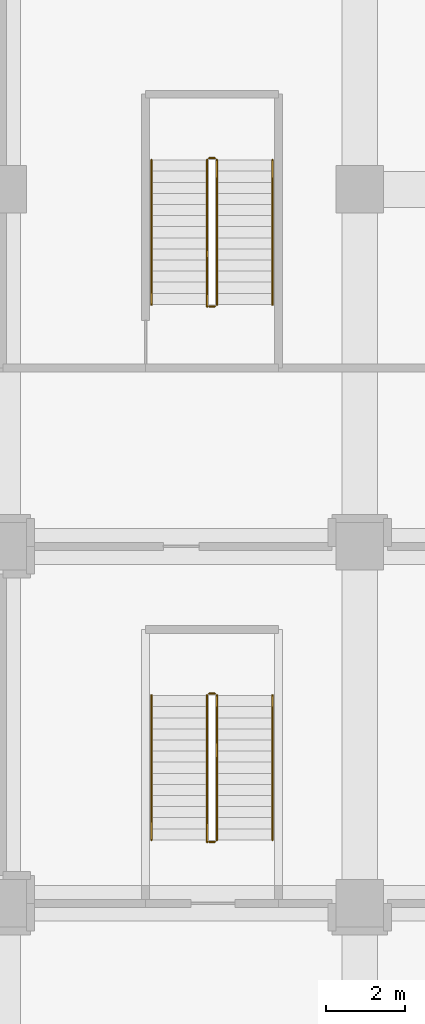
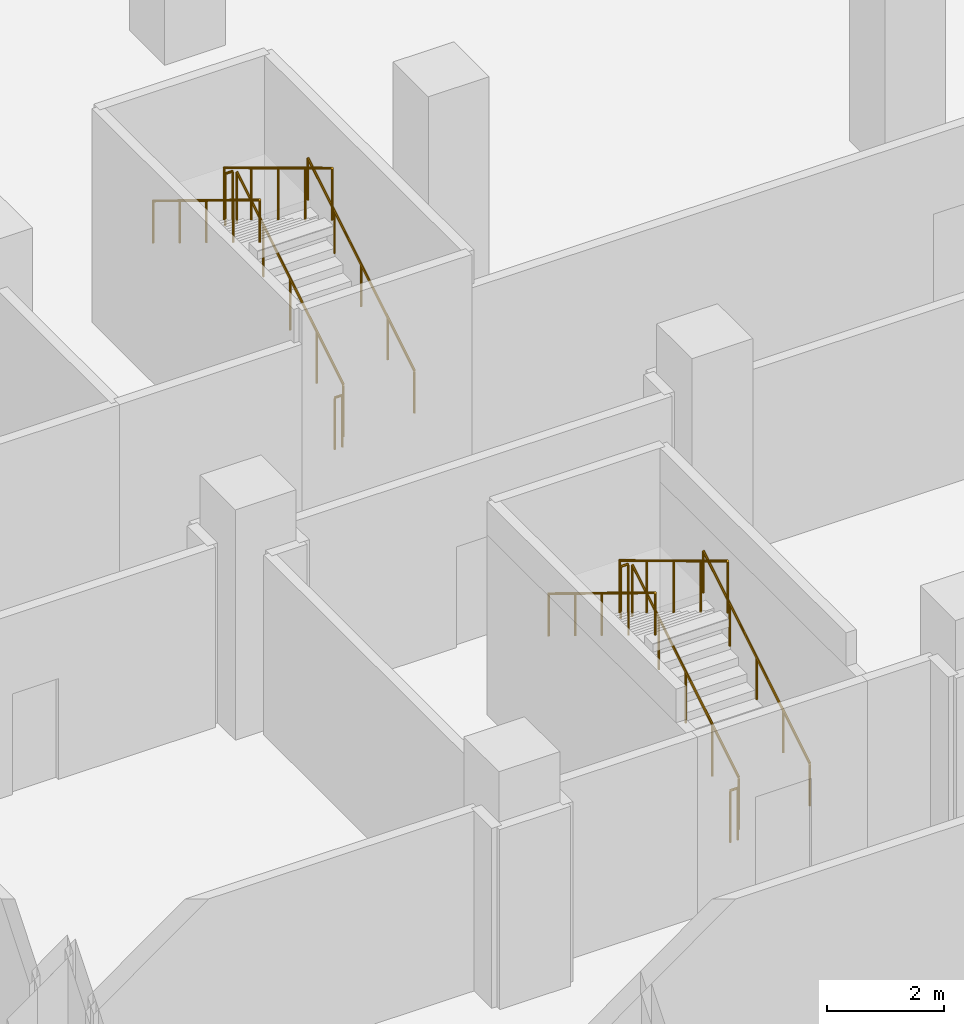
# One storey, part 40 of 42: 12 railings.
"""IFC4 building model written with IfcOpenShell, lengths in metres."""

import ifcopenshell
import ifcopenshell.guid

model = None  # the IFC model being written
_history = None  # IfcOwnerHistory: only IFC2X3 demands one
_inside = {}  # id of a spatial element -> (the spatial element, [elements in it])
_under = {}  # id of a project, library or spatial element -> (it, [spatial elements below it])
_declared = {}  # id of a project -> (the project, [libraries it declares])
_typed = {}  # id of a type object -> (the type object, [elements of that type])
_made_of = {}  # id of a material, layer set ... -> (it, [elements and type objects made of it])


def new_model(schema):
    """Start an empty IFC model of exactly this schema.

    Asked for "IFC4X3", IfcOpenShell would pick the latest addendum, in which some entities
    have other attributes; the version numbers below select the first issue.
    IFC2X3 requires an IfcOwnerHistory on every rooted entity: one is made here for all.
    """
    global model, _history
    if schema == "IFC4X3":
        model = ifcopenshell.file(schema_version=(4, 3, 0, 0))
    else:
        model = ifcopenshell.file(schema=schema)
    _inside.clear()
    _under.clear()
    _declared.clear()
    _typed.clear()
    _made_of.clear()
    _history = None
    if model.schema == "IFC2X3":
        org = make("IfcOrganization", Name="unknown")
        user = make(
            "IfcPersonAndOrganization",
            ThePerson=make("IfcPerson", FamilyName="unknown"),
            TheOrganization=org,
        )
        app = make(
            "IfcApplication",
            ApplicationDeveloper=org,
            Version="unknown",
            ApplicationFullName="unknown",
            ApplicationIdentifier="unknown",
        )
        _history = make(
            "IfcOwnerHistory",
            OwningUser=user,
            OwningApplication=app,
            ChangeAction="ADDED",
            CreationDate=0,
        )
    return model


def make(cls, **values):
    """One entity of the class cls with the attributes given. An attribute that is None is left unset."""
    return model.create_entity(
        cls, **{name: value for name, value in values.items() if value is not None}
    )


def rooted(cls, **values):
    """An entity with a GlobalId (a new one), such as an element, a storey or a relation."""
    return make(cls, GlobalId=ifcopenshell.guid.new(), OwnerHistory=_history, **values)


def si_unit(unit_type, name, prefix=None):
    """IfcSIUnit, for example si_unit("LENGTHUNIT", "METRE", prefix="MILLI")."""
    return make("IfcSIUnit", UnitType=unit_type, Prefix=prefix, Name=name)


def assignment(units):
    """IfcUnitAssignment: the units of a project."""
    return None if units is None else make("IfcUnitAssignment", Units=units)


def point(xyz):
    """IfcCartesianPoint."""
    return None if xyz is None else make("IfcCartesianPoint", Coordinates=xyz)


def direction(xyz):
    """IfcDirection."""
    return None if xyz is None else make("IfcDirection", DirectionRatios=xyz)


def frame(location, z_axis=None, x_axis=None):
    """IfcAxis2Placement3D, a coordinate frame: its origin and axes. An axis left out is left unset."""
    return make(
        "IfcAxis2Placement3D",
        Location=point(location),
        Axis=direction(z_axis),
        RefDirection=direction(x_axis),
    )


def frame_2d(location, x_axis=None):
    """IfcAxis2Placement2D, a coordinate frame in the plane: its origin and x axis."""
    return make(
        "IfcAxis2Placement2D", Location=point(location), RefDirection=direction(x_axis)
    )


def origin():
    """The frame at (0, 0, 0) with its axes left unset."""
    return frame((0.0, 0.0, 0.0))


def origin_2d():
    """The frame at (0, 0) in the plane with its x axis left unset."""
    return frame_2d((0.0, 0.0))


def place(relative_to, where):
    """IfcLocalPlacement: puts the frame where relative to a parent placement (None: the world)."""
    return make(
        "IfcLocalPlacement", PlacementRelTo=relative_to, RelativePlacement=where
    )


def context(
    kind, dimensions, precision=None, world=None, true_north=None, identifier=None
):
    """IfcGeometricRepresentationContext, for example the 3D "Model" context."""
    return make(
        "IfcGeometricRepresentationContext",
        ContextIdentifier=identifier,
        ContextType=kind,
        CoordinateSpaceDimension=dimensions,
        Precision=precision,
        WorldCoordinateSystem=world,
        TrueNorth=true_north,
    )


def subcontext(parent, identifier, kind, view, scale=None):
    """IfcGeometricRepresentationSubContext, for example "Body" below "Model"."""
    return make(
        "IfcGeometricRepresentationSubContext",
        ContextIdentifier=identifier,
        ContextType=kind,
        ParentContext=parent,
        TargetScale=scale,
        TargetView=view,
    )


def project(units=None, contexts=None):
    """IfcProject with its units and contexts."""
    return rooted(
        "IfcProject",
        Name="project",
        RepresentationContexts=contexts,
        UnitsInContext=assignment(units),
    )


def spatial(cls, under=None, at=None, **own):
    """A site, building, storey or space (cls), placed at a placement, below another one or the project."""
    s = rooted(cls, ObjectPlacement=at, **own)
    if under is not None:
        _under.setdefault(under.id(), (under, []))[1].append(s)
    return s


def profile(cls, at=None, kind="AREA", **sizes):
    """A parametric profile (cls). Its sizes go by their IFC names, for example OverallWidth=200.0."""
    return make(cls, ProfileType=kind, Position=at, **sizes)


def circle(**sizes):
    """IfcCircleProfileDef."""
    return profile("IfcCircleProfileDef", **sizes)


def extrude(swept, where, along, depth):
    """IfcExtrudedAreaSolid: the profile swept, set in the frame where, extruded along a direction by depth."""
    return make(
        "IfcExtrudedAreaSolid",
        SweptArea=swept,
        Position=where,
        ExtrudedDirection=direction(along),
        Depth=depth,
    )


def shape(context_of_items, identifier, shape_type, items):
    """IfcShapeRepresentation: the items that make up one representation, for example the "Body"."""
    return make(
        "IfcShapeRepresentation",
        ContextOfItems=context_of_items,
        RepresentationIdentifier=identifier,
        RepresentationType=shape_type,
        Items=items,
    )


def material(Name=None, Category=None):
    """IfcMaterial."""
    return make("IfcMaterial", Name=Name, Category=Category)


def made_of(thing, what):
    """Note that an element or type object is made of a material, layer set ...; save() writes the relation."""
    if what is not None:
        _made_of.setdefault(what.id(), (what, []))[1].append(thing)
    return thing


def type_object(cls, material=None, **own):
    """A type object (cls), such as IfcWallType, which elements share."""
    return made_of(rooted(cls, **own), material)


def element(
    cls,
    number,
    at=None,
    inside=None,
    cuts=None,
    type_object=None,
    material=None,
    context=None,
    identifier="Body",
    shape_type=None,
    held_by="IfcProductDefinitionShape",
    body=None,
    shapes=None,
    **own,
):
    """One element of the class cls, such as IfcWall. Its Tag is "e" and its number.

    at: its placement. inside: the storey or other place that contains it. cuts: it is an
    opening in that element (IfcRelVoidsElement). A single representation is given by context,
    identifier, shape_type and body (its items); several are given by shapes. held_by: the class
    of the entity that holds the representations. save() writes the other relations.
    """
    e = rooted(cls, Tag="e%d" % number, ObjectPlacement=at, **own)
    if body is not None:
        shapes = [shape(context, identifier, shape_type, body)]
    if shapes is not None:
        e.Representation = make(held_by, Representations=shapes)
    if inside is not None:
        _inside.setdefault(inside.id(), (inside, []))[1].append(e)
    if cuts is not None:
        rooted(
            "IfcRelVoidsElement", RelatingBuildingElement=cuts, RelatedOpeningElement=e
        )
    if type_object is not None:
        _typed.setdefault(type_object.id(), (type_object, []))[1].append(e)
    return made_of(e, material)


def aggregate(whole, parts):
    """IfcRelAggregates: a whole, such as a stair, and the parts it consists of."""
    return rooted("IfcRelAggregates", RelatingObject=whole, RelatedObjects=parts)


def save(model, path):
    """Write the relations noted so far, then the file.

    IfcRelAggregates (storeys below a building ...), IfcRelContainedInSpatialStructure (elements
    in a storey), IfcRelDefinesByType, IfcRelAssociatesMaterial and IfcRelDeclares: one each for
    every whole, place, type object, material and project.
    """
    for whole, parts in _under.values():
        aggregate(whole, parts)
    for where, things in _inside.values():
        rooted(
            "IfcRelContainedInSpatialStructure",
            RelatedElements=things,
            RelatingStructure=where,
        )
    for kind, things in _typed.values():
        rooted("IfcRelDefinesByType", RelatedObjects=things, RelatingType=kind)
    for what, things in _made_of.values():
        rooted("IfcRelAssociatesMaterial", RelatedObjects=things, RelatingMaterial=what)
    for by, libraries in _declared.values():
        rooted("IfcRelDeclares", RelatingContext=by, RelatedDefinitions=libraries)
    model.write(path)


model = new_model("IFC4")

# Units and contexts
model_context = context("Model", 3, precision=1e-05, world=origin(), true_north=direction((0.0, 1.0)))
body_context = subcontext(model_context, "Body", "Model", "MODEL_VIEW")
ifc_project = project(units=[si_unit("LENGTHUNIT", "METRE"), si_unit("AREAUNIT", "SQUARE_METRE"), si_unit("VOLUMEUNIT", "CUBIC_METRE"), si_unit("PLANEANGLEUNIT", "RADIAN"), si_unit("MASSUNIT", "GRAM", prefix="KILO")], contexts=[model_context])

# Site, building, storey
site_placement = place(None, origin())
site = spatial("IfcSite", under=ifc_project, at=site_placement, CompositionType="ELEMENT")
building_placement = place(site_placement, origin())
building = spatial("IfcBuilding", under=site, at=building_placement, Name="Plateau Cross Towers", CompositionType="ELEMENT")
storey_placement = place(building_placement, frame((0.0, 0.0, 8.0)))
storey = spatial("IfcBuildingStorey", under=building, at=storey_placement, Name="L01", CompositionType="ELEMENT", Elevation=8.0)

# Railings
ifc_material_1 = material(Name="Stainless steel and toughened glass", Category="steel")
railing_type_1 = type_object("IfcRailingType", Name="RL-GUARD-1100", PredefinedType="GUARDRAIL", material=ifc_material_1)
railing_1_placement = place(storey_placement, frame((32.39990234375, 28.60009765625, 0.17138671875)))
element("IfcRailing", 1, at=railing_1_placement, inside=storey, type_object=railing_type_1, Name="L01 PS1 stair guard 1", PredefinedType="GUARDRAIL", context=body_context, shape_type="SweptSolid", body=[
    extrude(circle(Radius=0.02392578125, at=origin_2d()), frame((0.0, 0.0, 1.076171875), z_axis=(0.0, 0.852850264322, 0.5221555579), x_axis=(-1.0, 0.0, 0.0)), (0.0, 0.0, 1.0), 4.267822265625),
    extrude(circle(Radius=0.02099609375, at=origin_2d()), origin(), (0.0, 0.0, 1.0), 1.052001953125),
    extrude(circle(Radius=0.02099609375, at=origin_2d()), frame((0.0, 0.909912109375, 0.55712890625)), (0.0, 0.0, 1.0), 1.052001953125),
    extrude(circle(Radius=0.02099609375, at=origin_2d()), frame((0.0, 1.81982421875, 1.1142578125)), (0.0, 0.0, 1.0), 1.052001953125),
    extrude(circle(Radius=0.02099609375, at=origin_2d()), frame((0.0, 2.72998046875, 1.67138671875)), (0.0, 0.0, 1.0), 1.052001953125),
    extrude(circle(Radius=0.02099609375, at=origin_2d()), frame((0.0, 3.639892578125, 2.228515625)), (0.0, 0.0, 1.0), 1.052001953125),
])
railing_2_placement = place(storey_placement, frame((32.35009765625, 32.2900390625, 2.39990234375)))
element("IfcRailing", 2, at=railing_2_placement, inside=storey, type_object=railing_type_1, Name="L01 PS1 stair guard 2", PredefinedType="GUARDRAIL", context=body_context, shape_type="SweptSolid", body=[
    extrude(circle(Radius=0.02392578125, at=origin_2d()), frame((0.0, 0.0, 1.076171875), z_axis=(-1.0, 0.0, 0.0), x_axis=(0.0, -1.0, 0.0)), (0.0, 0.0, 1.0), 0.150146484375),
    extrude(circle(Radius=0.02099609375, at=origin_2d()), origin(), (0.0, 0.0, 1.0), 1.052001953125),
    extrude(circle(Radius=0.02099609375, at=origin_2d()), frame((-0.150146484375, 0.0, 0.0)), (0.0, 0.0, 1.0), 1.052001953125),
])
railing_3_placement = place(storey_placement, frame((32.14990234375, 32.239990234375, 2.571533203125)))
element("IfcRailing", 3, at=railing_3_placement, inside=storey, type_object=railing_type_1, Name="L01 PS1 stair guard 3", PredefinedType="GUARDRAIL", context=body_context, shape_type="SweptSolid", body=[
    extrude(circle(Radius=0.02392578125, at=origin_2d()), frame((0.0, 0.0, 1.076171875), z_axis=(0.0, -0.856000133688, 0.516975600126), x_axis=(1.0, 0.0, 0.0)), (0.0, 0.0, 1.0), 4.310791015625),
    extrude(circle(Radius=0.02099609375, at=origin_2d()), origin(), (0.0, 0.0, 1.0), 1.052001953125),
    extrude(circle(Radius=0.02099609375, at=origin_2d()), frame((0.0, -0.92236328125, 0.55712890625)), (0.0, 0.0, 1.0), 1.052001953125),
    extrude(circle(Radius=0.02099609375, at=origin_2d()), frame((0.0, -1.844970703125, 1.1142578125)), (0.0, 0.0, 1.0), 1.052001953125),
    extrude(circle(Radius=0.02099609375, at=origin_2d()), frame((0.0, -2.767578125, 1.67138671875)), (0.0, 0.0, 1.0), 1.052001953125),
    extrude(circle(Radius=0.02099609375, at=origin_2d()), frame((0.0, -3.68994140625, 2.228515625)), (0.0, 0.0, 1.0), 1.052001953125),
])
railing_4_placement = place(storey_placement, frame((32.35009765625, 28.550048828125, 0.0)))
element("IfcRailing", 4, at=railing_4_placement, inside=storey, type_object=railing_type_1, Name="L01 PS1 stair guard 4", PredefinedType="GUARDRAIL", context=body_context, shape_type="SweptSolid", body=[
    extrude(circle(Radius=0.02392578125, at=origin_2d()), frame((0.0, 0.0, 1.076171875), z_axis=(-1.0, 0.0, 0.0), x_axis=(0.0, -1.0, 0.0)), (0.0, 0.0, 1.0), 0.150146484375),
    extrude(circle(Radius=0.02099609375, at=origin_2d()), origin(), (0.0, 0.0, 1.0), 1.052001953125),
    extrude(circle(Radius=0.02099609375, at=origin_2d()), frame((-0.150146484375, 0.0, 0.0)), (0.0, 0.0, 1.0), 1.052001953125),
])
railing_5_placement = place(storey_placement, frame((32.39990234375, 42.10009765625, 0.17138671875)))
element("IfcRailing", 5, at=railing_5_placement, inside=storey, type_object=railing_type_1, Name="L01 PS2 stair guard 1", PredefinedType="GUARDRAIL", context=body_context, shape_type="SweptSolid", body=[
    extrude(circle(Radius=0.02392578125, at=origin_2d()), frame((0.0, 0.0, 1.076171875), z_axis=(0.0, 0.852850264322, 0.5221555579), x_axis=(-1.0, 0.0, 0.0)), (0.0, 0.0, 1.0), 4.267822265625),
    extrude(circle(Radius=0.02099609375, at=origin_2d()), origin(), (0.0, 0.0, 1.0), 1.052001953125),
    extrude(circle(Radius=0.02099609375, at=origin_2d()), frame((0.0, 0.909912109375, 0.55712890625)), (0.0, 0.0, 1.0), 1.052001953125),
    extrude(circle(Radius=0.02099609375, at=origin_2d()), frame((0.0, 1.81982421875, 1.1142578125)), (0.0, 0.0, 1.0), 1.052001953125),
    extrude(circle(Radius=0.02099609375, at=origin_2d()), frame((0.0, 2.72998046875, 1.67138671875)), (0.0, 0.0, 1.0), 1.052001953125),
    extrude(circle(Radius=0.02099609375, at=origin_2d()), frame((0.0, 3.639892578125, 2.228515625)), (0.0, 0.0, 1.0), 1.052001953125),
])
railing_6_placement = place(storey_placement, frame((32.35009765625, 45.7900390625, 2.39990234375)))
element("IfcRailing", 6, at=railing_6_placement, inside=storey, type_object=railing_type_1, Name="L01 PS2 stair guard 2", PredefinedType="GUARDRAIL", context=body_context, shape_type="SweptSolid", body=[
    extrude(circle(Radius=0.02392578125, at=origin_2d()), frame((0.0, 0.0, 1.076171875), z_axis=(-1.0, 0.0, 0.0), x_axis=(0.0, -1.0, 0.0)), (0.0, 0.0, 1.0), 0.150146484375),
    extrude(circle(Radius=0.02099609375, at=origin_2d()), origin(), (0.0, 0.0, 1.0), 1.052001953125),
    extrude(circle(Radius=0.02099609375, at=origin_2d()), frame((-0.150146484375, 0.0, 0.0)), (0.0, 0.0, 1.0), 1.052001953125),
])
railing_7_placement = place(storey_placement, frame((32.14990234375, 45.739990234375, 2.571533203125)))
element("IfcRailing", 7, at=railing_7_placement, inside=storey, type_object=railing_type_1, Name="L01 PS2 stair guard 3", PredefinedType="GUARDRAIL", context=body_context, shape_type="SweptSolid", body=[
    extrude(circle(Radius=0.02392578125, at=origin_2d()), frame((0.0, 0.0, 1.076171875), z_axis=(0.0, -0.856000133688, 0.516975600126), x_axis=(1.0, 0.0, 0.0)), (0.0, 0.0, 1.0), 4.310791015625),
    extrude(circle(Radius=0.02099609375, at=origin_2d()), origin(), (0.0, 0.0, 1.0), 1.052001953125),
    extrude(circle(Radius=0.02099609375, at=origin_2d()), frame((0.0, -0.92236328125, 0.55712890625)), (0.0, 0.0, 1.0), 1.052001953125),
    extrude(circle(Radius=0.02099609375, at=origin_2d()), frame((0.0, -1.844970703125, 1.1142578125)), (0.0, 0.0, 1.0), 1.052001953125),
    extrude(circle(Radius=0.02099609375, at=origin_2d()), frame((0.0, -2.767578125, 1.67138671875)), (0.0, 0.0, 1.0), 1.052001953125),
    extrude(circle(Radius=0.02099609375, at=origin_2d()), frame((0.0, -3.68994140625, 2.228515625)), (0.0, 0.0, 1.0), 1.052001953125),
])
railing_8_placement = place(storey_placement, frame((32.35009765625, 42.050048828125, 0.0)))
element("IfcRailing", 8, at=railing_8_placement, inside=storey, type_object=railing_type_1, Name="L01 PS2 stair guard 4", PredefinedType="GUARDRAIL", context=body_context, shape_type="SweptSolid", body=[
    extrude(circle(Radius=0.02392578125, at=origin_2d()), frame((0.0, 0.0, 1.076171875), z_axis=(-1.0, 0.0, 0.0), x_axis=(0.0, -1.0, 0.0)), (0.0, 0.0, 1.0), 0.150146484375),
    extrude(circle(Radius=0.02099609375, at=origin_2d()), origin(), (0.0, 0.0, 1.0), 1.052001953125),
    extrude(circle(Radius=0.02099609375, at=origin_2d()), frame((-0.150146484375, 0.0, 0.0)), (0.0, 0.0, 1.0), 1.052001953125),
])
ifc_material_2 = material(Name="Black anodised aluminium", Category="aluminium")
railing_type_2 = type_object("IfcRailingType", Name="RL-HANDRAIL-900", PredefinedType="HANDRAIL", material=ifc_material_2)
railing_9_placement = place(storey_placement, frame((33.800048828125, 28.60009765625, 0.17138671875)))
element("IfcRailing", 9, at=railing_9_placement, inside=storey, type_object=railing_type_2, Name="L01 PS1 stair handrail 1", PredefinedType="HANDRAIL", context=body_context, shape_type="SweptSolid", body=[
    extrude(circle(Radius=0.02392578125, at=origin_2d()), frame((0.0, 0.0, 0.8759765625), z_axis=(0.0, 0.852850264322, 0.5221555579), x_axis=(-1.0, 0.0, 0.0)), (0.0, 0.0, 1.0), 4.267822265625),
    extrude(circle(Radius=0.02099609375, at=origin_2d()), origin(), (0.0, 0.0, 1.0), 0.851806640625),
    extrude(circle(Radius=0.02099609375, at=origin_2d()), frame((0.0, 0.909912109375, 0.55712890625)), (0.0, 0.0, 1.0), 0.851806640625),
    extrude(circle(Radius=0.02099609375, at=origin_2d()), frame((0.0, 1.81982421875, 1.1142578125)), (0.0, 0.0, 1.0), 0.851806640625),
    extrude(circle(Radius=0.02099609375, at=origin_2d()), frame((0.0, 2.72998046875, 1.67138671875)), (0.0, 0.0, 1.0), 0.851806640625),
    extrude(circle(Radius=0.02099609375, at=origin_2d()), frame((0.0, 3.639892578125, 2.228515625)), (0.0, 0.0, 1.0), 0.851806640625),
])
railing_10_placement = place(storey_placement, frame((30.75, 32.239990234375, 2.571533203125)))
element("IfcRailing", 10, at=railing_10_placement, inside=storey, type_object=railing_type_2, Name="L01 PS1 stair handrail 2", PredefinedType="HANDRAIL", context=body_context, shape_type="SweptSolid", body=[
    extrude(circle(Radius=0.02392578125, at=origin_2d()), frame((0.0, 0.0, 0.8759765625), z_axis=(0.0, -0.852850264322, 0.5221555579), x_axis=(1.0, 0.0, 0.0)), (0.0, 0.0, 1.0), 4.267822265625),
    extrude(circle(Radius=0.02099609375, at=origin_2d()), origin(), (0.0, 0.0, 1.0), 0.851806640625),
    extrude(circle(Radius=0.02099609375, at=origin_2d()), frame((0.0, -0.909912109375, 0.55712890625)), (0.0, 0.0, 1.0), 0.851806640625),
    extrude(circle(Radius=0.02099609375, at=origin_2d()), frame((0.0, -1.81982421875, 1.1142578125)), (0.0, 0.0, 1.0), 0.851806640625),
    extrude(circle(Radius=0.02099609375, at=origin_2d()), frame((0.0, -2.72998046875, 1.67138671875)), (0.0, 0.0, 1.0), 0.851806640625),
    extrude(circle(Radius=0.02099609375, at=origin_2d()), frame((0.0, -3.639892578125, 2.228515625)), (0.0, 0.0, 1.0), 0.851806640625),
])
railing_11_placement = place(storey_placement, frame((33.800048828125, 42.10009765625, 0.17138671875)))
element("IfcRailing", 11, at=railing_11_placement, inside=storey, type_object=railing_type_2, Name="L01 PS2 stair handrail 1", PredefinedType="HANDRAIL", context=body_context, shape_type="SweptSolid", body=[
    extrude(circle(Radius=0.02392578125, at=origin_2d()), frame((0.0, 0.0, 0.8759765625), z_axis=(0.0, 0.852850264322, 0.5221555579), x_axis=(-1.0, 0.0, 0.0)), (0.0, 0.0, 1.0), 4.267822265625),
    extrude(circle(Radius=0.02099609375, at=origin_2d()), origin(), (0.0, 0.0, 1.0), 0.851806640625),
    extrude(circle(Radius=0.02099609375, at=origin_2d()), frame((0.0, 0.909912109375, 0.55712890625)), (0.0, 0.0, 1.0), 0.851806640625),
    extrude(circle(Radius=0.02099609375, at=origin_2d()), frame((0.0, 1.81982421875, 1.1142578125)), (0.0, 0.0, 1.0), 0.851806640625),
    extrude(circle(Radius=0.02099609375, at=origin_2d()), frame((0.0, 2.72998046875, 1.67138671875)), (0.0, 0.0, 1.0), 0.851806640625),
    extrude(circle(Radius=0.02099609375, at=origin_2d()), frame((0.0, 3.639892578125, 2.228515625)), (0.0, 0.0, 1.0), 0.851806640625),
])
railing_12_placement = place(storey_placement, frame((30.75, 45.739990234375, 2.571533203125)))
element("IfcRailing", 12, at=railing_12_placement, inside=storey, type_object=railing_type_2, Name="L01 PS2 stair handrail 2", PredefinedType="HANDRAIL", context=body_context, shape_type="SweptSolid", body=[
    extrude(circle(Radius=0.02392578125, at=origin_2d()), frame((0.0, 0.0, 0.8759765625), z_axis=(0.0, -0.852850264322, 0.5221555579), x_axis=(1.0, 0.0, 0.0)), (0.0, 0.0, 1.0), 4.267822265625),
    extrude(circle(Radius=0.02099609375, at=origin_2d()), origin(), (0.0, 0.0, 1.0), 0.851806640625),
    extrude(circle(Radius=0.02099609375, at=origin_2d()), frame((0.0, -0.909912109375, 0.55712890625)), (0.0, 0.0, 1.0), 0.851806640625),
    extrude(circle(Radius=0.02099609375, at=origin_2d()), frame((0.0, -1.81982421875, 1.1142578125)), (0.0, 0.0, 1.0), 0.851806640625),
    extrude(circle(Radius=0.02099609375, at=origin_2d()), frame((0.0, -2.72998046875, 1.67138671875)), (0.0, 0.0, 1.0), 0.851806640625),
    extrude(circle(Radius=0.02099609375, at=origin_2d()), frame((0.0, -3.639892578125, 2.228515625)), (0.0, 0.0, 1.0), 0.851806640625),
])

save(model, "model.ifc")
